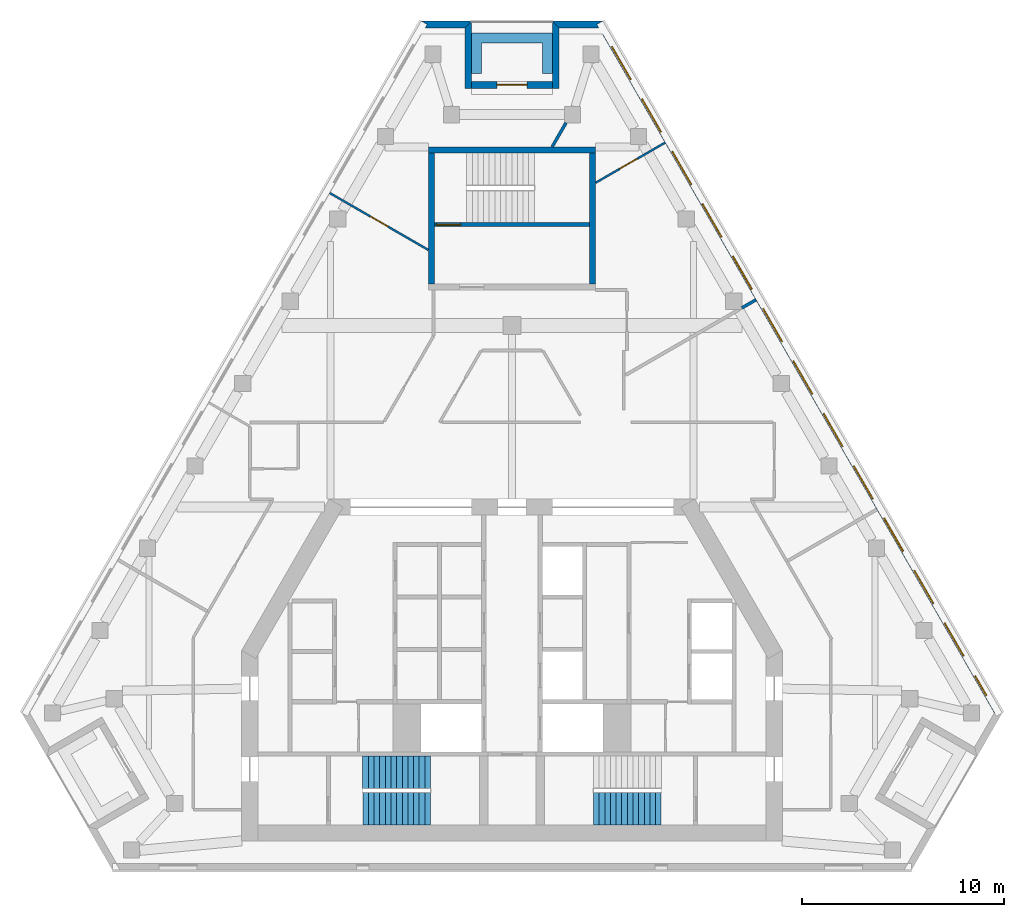
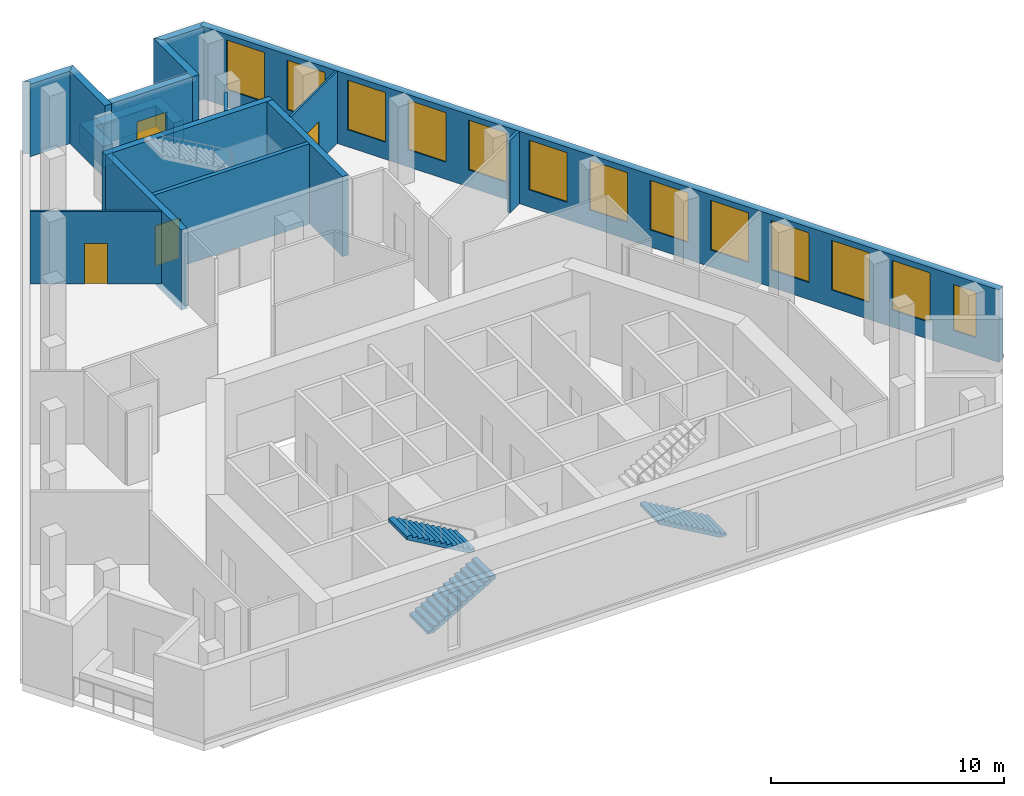
# One storey, part 6 of 8: 15 walls, 13 windows, 4 doors, 3 stair flights, 17 openings, 2 elements without a shape of their own.
"""IFC4 building model written with IfcOpenShell, lengths in metres."""

import ifcopenshell
import ifcopenshell.guid

model = None  # the IFC model being written
_history = None  # IfcOwnerHistory: only IFC2X3 demands one
_inside = {}  # id of a spatial element -> (the spatial element, [elements in it])
_under = {}  # id of a project, library or spatial element -> (it, [spatial elements below it])
_declared = {}  # id of a project -> (the project, [libraries it declares])
_typed = {}  # id of a type object -> (the type object, [elements of that type])
_made_of = {}  # id of a material, layer set ... -> (it, [elements and type objects made of it])


def new_model(schema):
    """Start an empty IFC model of exactly this schema.

    Asked for "IFC4X3", IfcOpenShell would pick the latest addendum, in which some entities
    have other attributes; the version numbers below select the first issue.
    IFC2X3 requires an IfcOwnerHistory on every rooted entity: one is made here for all.
    """
    global model, _history
    if schema == "IFC4X3":
        model = ifcopenshell.file(schema_version=(4, 3, 0, 0))
    else:
        model = ifcopenshell.file(schema=schema)
    _inside.clear()
    _under.clear()
    _declared.clear()
    _typed.clear()
    _made_of.clear()
    _history = None
    if model.schema == "IFC2X3":
        org = make("IfcOrganization", Name="unknown")
        user = make(
            "IfcPersonAndOrganization",
            ThePerson=make("IfcPerson", FamilyName="unknown"),
            TheOrganization=org,
        )
        app = make(
            "IfcApplication",
            ApplicationDeveloper=org,
            Version="unknown",
            ApplicationFullName="unknown",
            ApplicationIdentifier="unknown",
        )
        _history = make(
            "IfcOwnerHistory",
            OwningUser=user,
            OwningApplication=app,
            ChangeAction="ADDED",
            CreationDate=0,
        )
    return model


def make(cls, **values):
    """One entity of the class cls with the attributes given. An attribute that is None is left unset."""
    return model.create_entity(
        cls, **{name: value for name, value in values.items() if value is not None}
    )


def rooted(cls, **values):
    """An entity with a GlobalId (a new one), such as an element, a storey or a relation."""
    return make(cls, GlobalId=ifcopenshell.guid.new(), OwnerHistory=_history, **values)


def si_unit(unit_type, name, prefix=None):
    """IfcSIUnit, for example si_unit("LENGTHUNIT", "METRE", prefix="MILLI")."""
    return make("IfcSIUnit", UnitType=unit_type, Prefix=prefix, Name=name)


def assignment(units):
    """IfcUnitAssignment: the units of a project."""
    return None if units is None else make("IfcUnitAssignment", Units=units)


def point(xyz):
    """IfcCartesianPoint."""
    return None if xyz is None else make("IfcCartesianPoint", Coordinates=xyz)


def direction(xyz):
    """IfcDirection."""
    return None if xyz is None else make("IfcDirection", DirectionRatios=xyz)


def frame(location, z_axis=None, x_axis=None):
    """IfcAxis2Placement3D, a coordinate frame: its origin and axes. An axis left out is left unset."""
    return make(
        "IfcAxis2Placement3D",
        Location=point(location),
        Axis=direction(z_axis),
        RefDirection=direction(x_axis),
    )


def frame_2d(location, x_axis=None):
    """IfcAxis2Placement2D, a coordinate frame in the plane: its origin and x axis."""
    return make(
        "IfcAxis2Placement2D", Location=point(location), RefDirection=direction(x_axis)
    )


def origin():
    """The frame at (0, 0, 0) with its axes left unset."""
    return frame((0.0, 0.0, 0.0))


def place(relative_to, where):
    """IfcLocalPlacement: puts the frame where relative to a parent placement (None: the world)."""
    return make(
        "IfcLocalPlacement", PlacementRelTo=relative_to, RelativePlacement=where
    )


def context(
    kind, dimensions, precision=None, world=None, true_north=None, identifier=None
):
    """IfcGeometricRepresentationContext, for example the 3D "Model" context."""
    return make(
        "IfcGeometricRepresentationContext",
        ContextIdentifier=identifier,
        ContextType=kind,
        CoordinateSpaceDimension=dimensions,
        Precision=precision,
        WorldCoordinateSystem=world,
        TrueNorth=true_north,
    )


def subcontext(parent, identifier, kind, view, scale=None):
    """IfcGeometricRepresentationSubContext, for example "Body" below "Model"."""
    return make(
        "IfcGeometricRepresentationSubContext",
        ContextIdentifier=identifier,
        ContextType=kind,
        ParentContext=parent,
        TargetScale=scale,
        TargetView=view,
    )


def project(units=None, contexts=None):
    """IfcProject with its units and contexts."""
    return rooted(
        "IfcProject",
        Name="project",
        RepresentationContexts=contexts,
        UnitsInContext=assignment(units),
    )


def spatial(cls, under=None, at=None, **own):
    """A site, building, storey or space (cls), placed at a placement, below another one or the project."""
    s = rooted(cls, ObjectPlacement=at, **own)
    if under is not None:
        _under.setdefault(under.id(), (under, []))[1].append(s)
    return s


def polyline(points):
    """IfcPolyline through the points."""
    return make("IfcPolyline", Points=[point(p) for p in points])


def profile(cls, at=None, kind="AREA", **sizes):
    """A parametric profile (cls). Its sizes go by their IFC names, for example OverallWidth=200.0."""
    return make(cls, ProfileType=kind, Position=at, **sizes)


def rectangle(**sizes):
    """IfcRectangleProfileDef."""
    return profile("IfcRectangleProfileDef", **sizes)


def outline(outer, holes=None, kind="AREA"):
    """IfcArbitraryClosedProfileDef: a profile drawn as a closed curve; with holes, ...WithVoids."""
    if holes is None:
        return make("IfcArbitraryClosedProfileDef", ProfileType=kind, OuterCurve=outer)
    return make(
        "IfcArbitraryProfileDefWithVoids",
        ProfileType=kind,
        OuterCurve=outer,
        InnerCurves=holes,
    )


def extrude(swept, where, along, depth):
    """IfcExtrudedAreaSolid: the profile swept, set in the frame where, extruded along a direction by depth."""
    return make(
        "IfcExtrudedAreaSolid",
        SweptArea=swept,
        Position=where,
        ExtrudedDirection=direction(along),
        Depth=depth,
    )


def shape(context_of_items, identifier, shape_type, items):
    """IfcShapeRepresentation: the items that make up one representation, for example the "Body"."""
    return make(
        "IfcShapeRepresentation",
        ContextOfItems=context_of_items,
        RepresentationIdentifier=identifier,
        RepresentationType=shape_type,
        Items=items,
    )


def material(Name=None, Category=None):
    """IfcMaterial."""
    return make("IfcMaterial", Name=Name, Category=Category)


def layer(
    of_material, thickness, ventilated=None, Name=None, Category=None, Priority=None
):
    """IfcMaterialLayer: one layer of a wall or slab, of a material (None: an air gap)."""
    return make(
        "IfcMaterialLayer",
        Material=of_material,
        LayerThickness=thickness,
        IsVentilated=ventilated,
        Name=Name,
        Category=Category,
        Priority=Priority,
    )


def layer_set(layers, Name=None):
    """IfcMaterialLayerSet."""
    return make("IfcMaterialLayerSet", MaterialLayers=layers, LayerSetName=Name)


def made_of(thing, what):
    """Note that an element or type object is made of a material, layer set ...; save() writes the relation."""
    if what is not None:
        _made_of.setdefault(what.id(), (what, []))[1].append(thing)
    return thing


def type_object(cls, material=None, **own):
    """A type object (cls), such as IfcWallType, which elements share."""
    return made_of(rooted(cls, **own), material)


def element(
    cls,
    number,
    at=None,
    inside=None,
    cuts=None,
    type_object=None,
    material=None,
    context=None,
    identifier="Body",
    shape_type=None,
    held_by="IfcProductDefinitionShape",
    body=None,
    shapes=None,
    **own,
):
    """One element of the class cls, such as IfcWall. Its Tag is "e" and its number.

    at: its placement. inside: the storey or other place that contains it. cuts: it is an
    opening in that element (IfcRelVoidsElement). A single representation is given by context,
    identifier, shape_type and body (its items); several are given by shapes. held_by: the class
    of the entity that holds the representations. save() writes the other relations.
    """
    e = rooted(cls, Tag="e%d" % number, ObjectPlacement=at, **own)
    if body is not None:
        shapes = [shape(context, identifier, shape_type, body)]
    if shapes is not None:
        e.Representation = make(held_by, Representations=shapes)
    if inside is not None:
        _inside.setdefault(inside.id(), (inside, []))[1].append(e)
    if cuts is not None:
        rooted(
            "IfcRelVoidsElement", RelatingBuildingElement=cuts, RelatedOpeningElement=e
        )
    if type_object is not None:
        _typed.setdefault(type_object.id(), (type_object, []))[1].append(e)
    return made_of(e, material)


def fill(opening, filler):
    """IfcRelFillsElement: the door or window that sits in an opening."""
    return rooted(
        "IfcRelFillsElement",
        RelatingOpeningElement=opening,
        RelatedBuildingElement=filler,
    )


def aggregate(whole, parts):
    """IfcRelAggregates: a whole, such as a stair, and the parts it consists of."""
    return rooted("IfcRelAggregates", RelatingObject=whole, RelatedObjects=parts)


def save(model, path):
    """Write the relations noted so far, then the file.

    IfcRelAggregates (storeys below a building ...), IfcRelContainedInSpatialStructure (elements
    in a storey), IfcRelDefinesByType, IfcRelAssociatesMaterial and IfcRelDeclares: one each for
    every whole, place, type object, material and project.
    """
    for whole, parts in _under.values():
        aggregate(whole, parts)
    for where, things in _inside.values():
        rooted(
            "IfcRelContainedInSpatialStructure",
            RelatedElements=things,
            RelatingStructure=where,
        )
    for kind, things in _typed.values():
        rooted("IfcRelDefinesByType", RelatedObjects=things, RelatingType=kind)
    for what, things in _made_of.values():
        rooted("IfcRelAssociatesMaterial", RelatedObjects=things, RelatingMaterial=what)
    for by, libraries in _declared.values():
        rooted("IfcRelDeclares", RelatingContext=by, RelatedDefinitions=libraries)
    model.write(path)


model = new_model("IFC4")

# Units and contexts
model_context = context("Model", 3, precision=1e-05, world=origin(), true_north=direction((0.0, 1.0)))
body_context = subcontext(model_context, "Body", "Model", "MODEL_VIEW")
ifc_project = project(units=[si_unit("LENGTHUNIT", "METRE"), si_unit("AREAUNIT", "SQUARE_METRE"), si_unit("VOLUMEUNIT", "CUBIC_METRE"), si_unit("PLANEANGLEUNIT", "RADIAN"), si_unit("MASSUNIT", "GRAM", prefix="KILO")], contexts=[model_context])

# Site, building, storey
site_placement = place(None, origin())
site = spatial("IfcSite", under=ifc_project, at=site_placement, CompositionType="ELEMENT")
building_placement = place(site_placement, origin())
building = spatial("IfcBuilding", under=site, at=building_placement, Name="Fogline Exchange Tower", CompositionType="ELEMENT")
storey_placement = place(building_placement, frame((0.0, 0.0, 330.89990234375)))
storey = spatial("IfcBuildingStorey", under=building, at=storey_placement, Name="L75", CompositionType="ELEMENT", Elevation=330.89990234375)

# Wall, opening, door
ifc_material_1 = material(Name="Concrete C40", Category="concrete")
ifc_layer_1 = layer(ifc_material_1, 0.199951171875)
ifc_layer_set_1 = layer_set([ifc_layer_1], Name="CW20R")
wall_type_1 = type_object("IfcWallType", Name="CW20R", PredefinedType="SOLIDWALL", material=ifc_layer_set_1)
wall_1_placement = place(storey_placement, frame((-3.85009765625, 32.007080078125, -0.39990234375), z_axis=(0.0, 0.0, 1.0), x_axis=(1.0, 0.0, 0.0)))
wall_1 = element("IfcWall", 1, at=wall_1_placement, inside=storey, type_object=wall_type_1, Name="Stair enclosure wall ST3", PredefinedType="SOLIDWALL", context=body_context, shape_type="SweptSolid", body=[
    extrude(rectangle(XDim=7.7001953125, YDim=0.199951171875, at=frame_2d((3.85009765625, 0.0))), origin(), (0.0, 0.0, 1.0), 4.199951171875),
])
opening_1_placement = place(wall_1_placement, frame((0.10009765625, 0.0, 0.39990234375)))
opening_1 = element("IfcOpeningElement", 2, at=opening_1_placement, cuts=wall_1, Name="Opening T23-C027", PredefinedType="OPENING", context=body_context, shape_type="SweptSolid", body=[
    extrude(rectangle(XDim=1.199951171875, YDim=2.10009765625, at=frame_2d((0.60009765625, 1.050048828125))), frame((0.0, 0.10986328125, 0.0), z_axis=(0.0, -1.0, 0.0), x_axis=(1.0, 0.0, 0.0)), (0.0, 0.0, 1.0), 0.219970703125),
])
ifc_material_2 = material(Name="Steel and timber fire door", Category="steel")
door_type_1 = type_object("IfcDoorType", Name="D-ST1", OperationType="SINGLE_SWING_LEFT", PredefinedType="DOOR", material=ifc_material_2)
door_1_placement = place(opening_1_placement, origin())
door_1 = element("IfcDoor", 3, at=door_1_placement, inside=storey, type_object=door_type_1, Name="Stair door ST3", OperationType="SINGLE_SWING_LEFT", OverallHeight=2.10009765625, OverallWidth=1.199951171875, PredefinedType="DOOR", context=body_context, shape_type="SweptSolid", body=[
    extrude(rectangle(XDim=1.199951171875, YDim=2.10009765625, at=frame_2d((0.60009765625, 1.050048828125))), frame((0.0, 0.02490234375, 0.0), z_axis=(0.0, -1.0, 0.0), x_axis=(1.0, 0.0, 0.0)), (0.0, 0.0, 1.0), 0.050048828125),
])
fill(opening_1, door_1)

# Walls
ifc_layer_2 = layer(ifc_material_1, 0.300048828125)
ifc_layer_set_2 = layer_set([ifc_layer_2], Name="CW30")
wall_type_2 = type_object("IfcWallType", Name="CW30", PredefinedType="SOLIDWALL", material=ifc_layer_set_2)
wall_2_placement = place(storey_placement, frame((-4.14990234375, 35.70703125, -0.39990234375), z_axis=(0.0, 0.0, 1.0), x_axis=(1.0, 0.0, 0.0)))
element("IfcWall", 4, at=wall_2_placement, inside=storey, type_object=wall_type_2, Name="Stair enclosure wall ST3", PredefinedType="SOLIDWALL", context=body_context, shape_type="SweptSolid", body=[
    extrude(rectangle(XDim=8.2998046875, YDim=0.300048828125, at=frame_2d((4.14990234375, 0.0))), origin(), (0.0, 0.0, 1.0), 4.199951171875),
])
for number, where, z_axis, x_axis, name in (
    (5, (-4.0, 29.056884765625, -0.39990234375), (0.0, 0.0, 1.0), (0.0, 1.0, 0.0), "Stair enclosure wall ST3"),
    (6, (4.0, 29.056884765625, -0.39990234375), (0.0, 0.0, 1.0), (0.0, 1.0, 0.0), "Stair enclosure wall ST3"),
):
    element("IfcWall", number, at=place(storey_placement, frame(where, z_axis=z_axis, x_axis=x_axis)), inside=storey, type_object=wall_type_2, Name=name, PredefinedType="SOLIDWALL", context=body_context, shape_type="SweptSolid", body=[
        extrude(rectangle(XDim=6.5, YDim=0.300048828125, at=frame_2d((3.25, 0.0))), origin(), (0.0, 0.0, 1.0), 4.199951171875),
    ])

# Wall, openings, windows
ifc_material_3 = material(Name="Brick masonry", Category="masonry")
ifc_layer_3 = layer(ifc_material_3, 0.340087890625)
ifc_layer_set_3 = layer_set([ifc_layer_3], Name="FW1")
wall_type_3 = type_object("IfcWallType", Name="FW1", PredefinedType="SOLIDWALL", material=ifc_layer_set_3)
wall_3_placement = place(storey_placement, frame((24.16015625, 7.709228515625, 0.0), z_axis=(0.0, 0.0, 1.0), x_axis=(-0.500000037544, 0.866025382108, 0.0)))
wall_3 = element("IfcWall", 7, at=wall_3_placement, inside=storey, type_object=wall_type_3, Name="Brick wall L75 E", PredefinedType="SOLIDWALL", context=body_context, shape_type="SweptSolid", body=[
    extrude(rectangle(XDim=39.61474609375, YDim=0.340087890625, at=frame_2d((19.807373046875, 0.0))), origin(), (0.0, 0.0, 1.0), 3.800048828125),
])
opening_2_placement = place(wall_3_placement, frame((3.40380859375, 0.0, 0.89990234375)))
opening_2 = element("IfcOpeningElement", 8, at=opening_2_placement, cuts=wall_3, Name="Opening W3", PredefinedType="OPENING", context=body_context, shape_type="SweptSolid", body=[
    extrude(rectangle(XDim=1.885009765625, YDim=2.60009765625, at=frame_2d((0.9423828125, 1.300048828125))), frame((0.0, 0.18017578125, 0.0), z_axis=(0.0, -1.0, 0.0), x_axis=(1.0, 0.0, 0.0)), (0.0, 0.0, 1.0), 0.360107421875),
])
opening_3_placement = place(wall_3_placement, frame((6.40380859375, 0.0, 0.89990234375)))
opening_3 = element("IfcOpeningElement", 9, at=opening_3_placement, cuts=wall_3, Name="Opening W3", PredefinedType="OPENING", context=body_context, shape_type="SweptSolid", body=[
    extrude(rectangle(XDim=1.885009765625, YDim=2.60009765625, at=frame_2d((0.9423828125, 1.300048828125))), frame((0.0, 0.18017578125, 0.0), z_axis=(0.0, -1.0, 0.0), x_axis=(1.0, 0.0, 0.0)), (0.0, 0.0, 1.0), 0.360107421875),
])
opening_4_placement = place(wall_3_placement, frame((9.40380859375, 0.0, 0.89990234375)))
opening_4 = element("IfcOpeningElement", 10, at=opening_4_placement, cuts=wall_3, Name="Opening W3", PredefinedType="OPENING", context=body_context, shape_type="SweptSolid", body=[
    extrude(rectangle(XDim=1.885009765625, YDim=2.60009765625, at=frame_2d((0.9423828125, 1.300048828125))), frame((0.0, 0.18017578125, 0.0), z_axis=(0.0, -1.0, 0.0), x_axis=(1.0, 0.0, 0.0)), (0.0, 0.0, 1.0), 0.360107421875),
])
opening_5_placement = place(wall_3_placement, frame((12.40380859375, 0.0, 0.89990234375)))
opening_5 = element("IfcOpeningElement", 11, at=opening_5_placement, cuts=wall_3, Name="Opening W3", PredefinedType="OPENING", context=body_context, shape_type="SweptSolid", body=[
    extrude(rectangle(XDim=1.885009765625, YDim=2.60009765625, at=frame_2d((0.9423828125, 1.300048828125))), frame((0.0, 0.18017578125, 0.0), z_axis=(0.0, -1.0, 0.0), x_axis=(1.0, 0.0, 0.0)), (0.0, 0.0, 1.0), 0.360107421875),
])
opening_6_placement = place(wall_3_placement, frame((15.40380859375, 0.0, 0.89990234375)))
opening_6 = element("IfcOpeningElement", 12, at=opening_6_placement, cuts=wall_3, Name="Opening W3", PredefinedType="OPENING", context=body_context, shape_type="SweptSolid", body=[
    extrude(rectangle(XDim=1.885009765625, YDim=2.60009765625, at=frame_2d((0.9423828125, 1.300048828125))), frame((0.0, 0.18017578125, 0.0), z_axis=(0.0, -1.0, 0.0), x_axis=(1.0, 0.0, 0.0)), (0.0, 0.0, 1.0), 0.360107421875),
])
opening_7_placement = place(wall_3_placement, frame((18.40380859375, 0.0, 0.89990234375)))
opening_7 = element("IfcOpeningElement", 13, at=opening_7_placement, cuts=wall_3, Name="Opening W3", PredefinedType="OPENING", context=body_context, shape_type="SweptSolid", body=[
    extrude(rectangle(XDim=1.885009765625, YDim=2.60009765625, at=frame_2d((0.9423828125, 1.300048828125))), frame((0.0, 0.18017578125, 0.0), z_axis=(0.0, -1.0, 0.0), x_axis=(1.0, 0.0, 0.0)), (0.0, 0.0, 1.0), 0.360107421875),
])
opening_8_placement = place(wall_3_placement, frame((21.40380859375, 0.0, 0.89990234375)))
opening_8 = element("IfcOpeningElement", 14, at=opening_8_placement, cuts=wall_3, Name="Opening W3", PredefinedType="OPENING", context=body_context, shape_type="SweptSolid", body=[
    extrude(rectangle(XDim=1.885009765625, YDim=2.60009765625, at=frame_2d((0.9423828125, 1.300048828125))), frame((0.0, 0.18017578125, 0.0), z_axis=(0.0, -1.0, 0.0), x_axis=(1.0, 0.0, 0.0)), (0.0, 0.0, 1.0), 0.360107421875),
])
opening_9_placement = place(wall_3_placement, frame((24.40380859375, 0.0, 0.89990234375)))
opening_9 = element("IfcOpeningElement", 15, at=opening_9_placement, cuts=wall_3, Name="Opening W3", PredefinedType="OPENING", context=body_context, shape_type="SweptSolid", body=[
    extrude(rectangle(XDim=1.885009765625, YDim=2.60009765625, at=frame_2d((0.9423828125, 1.300048828125))), frame((0.0, 0.18017578125, 0.0), z_axis=(0.0, -1.0, 0.0), x_axis=(1.0, 0.0, 0.0)), (0.0, 0.0, 1.0), 0.360107421875),
])
opening_10_placement = place(wall_3_placement, frame((27.40380859375, 0.0, 0.89990234375)))
opening_10 = element("IfcOpeningElement", 16, at=opening_10_placement, cuts=wall_3, Name="Opening W3", PredefinedType="OPENING", context=body_context, shape_type="SweptSolid", body=[
    extrude(rectangle(XDim=1.885009765625, YDim=2.60009765625, at=frame_2d((0.9423828125, 1.300048828125))), frame((0.0, 0.18017578125, 0.0), z_axis=(0.0, -1.0, 0.0), x_axis=(1.0, 0.0, 0.0)), (0.0, 0.0, 1.0), 0.360107421875),
])
opening_11_placement = place(wall_3_placement, frame((30.40380859375, 0.0, 0.89990234375)))
opening_11 = element("IfcOpeningElement", 17, at=opening_11_placement, cuts=wall_3, Name="Opening W3", PredefinedType="OPENING", context=body_context, shape_type="SweptSolid", body=[
    extrude(rectangle(XDim=1.885009765625, YDim=2.60009765625, at=frame_2d((0.9423828125, 1.300048828125))), frame((0.0, 0.18017578125, 0.0), z_axis=(0.0, -1.0, 0.0), x_axis=(1.0, 0.0, 0.0)), (0.0, 0.0, 1.0), 0.360107421875),
])
opening_12_placement = place(wall_3_placement, frame((33.40380859375, 0.0, 0.89990234375)))
opening_12 = element("IfcOpeningElement", 18, at=opening_12_placement, cuts=wall_3, Name="Opening W3", PredefinedType="OPENING", context=body_context, shape_type="SweptSolid", body=[
    extrude(rectangle(XDim=1.885009765625, YDim=2.60009765625, at=frame_2d((0.9423828125, 1.300048828125))), frame((0.0, 0.18017578125, 0.0), z_axis=(0.0, -1.0, 0.0), x_axis=(1.0, 0.0, 0.0)), (0.0, 0.0, 1.0), 0.360107421875),
])
opening_13_placement = place(wall_3_placement, frame((36.40380859375, 0.0, 0.89990234375)))
opening_13 = element("IfcOpeningElement", 19, at=opening_13_placement, cuts=wall_3, Name="Opening W3", PredefinedType="OPENING", context=body_context, shape_type="SweptSolid", body=[
    extrude(rectangle(XDim=1.885009765625, YDim=2.60009765625, at=frame_2d((0.9423828125, 1.300048828125))), frame((0.0, 0.18017578125, 0.0), z_axis=(0.0, -1.0, 0.0), x_axis=(1.0, 0.0, 0.0)), (0.0, 0.0, 1.0), 0.360107421875),
])
opening_14_placement = place(wall_3_placement, frame((1.144287109375, 0.0, 0.89990234375)))
opening_14 = element("IfcOpeningElement", 20, at=opening_14_placement, cuts=wall_3, Name="Opening W4", PredefinedType="OPENING", context=body_context, shape_type="SweptSolid", body=[
    extrude(rectangle(XDim=1.114990234375, YDim=2.39990234375, at=frame_2d((0.5576171875, 1.199951171875))), frame((0.0, 0.18017578125, 0.0), z_axis=(0.0, -1.0, 0.0), x_axis=(1.0, 0.0, 0.0)), (0.0, 0.0, 1.0), 0.360107421875),
])
ifc_material_4 = material(Name="Aluminium and glass", Category="aluminium")
window_type_1 = type_object("IfcWindowType", Name="W3", PartitioningType="SINGLE_PANEL", PredefinedType="WINDOW", material=ifc_material_4)
window_1_placement = place(opening_2_placement, origin())
window_1 = element("IfcWindow", 21, at=window_1_placement, inside=storey, type_object=window_type_1, Name="W3 W3", OverallHeight=2.60009765625, OverallWidth=1.885009765625, PartitioningType="SINGLE_PANEL", PredefinedType="WINDOW", context=body_context, shape_type="SweptSolid", body=[
    extrude(rectangle(XDim=1.885009765625, YDim=2.60009765625, at=frame_2d((0.9423828125, 1.300048828125))), frame((0.0, 0.110107421875, 0.0), z_axis=(0.0, -1.0, 0.0), x_axis=(1.0, 0.0, 0.0)), (0.0, 0.0, 1.0), 0.06005859375),
])
fill(opening_2, window_1)
window_2_placement = place(opening_3_placement, origin())
window_2 = element("IfcWindow", 22, at=window_2_placement, inside=storey, type_object=window_type_1, Name="W3 W3", OverallHeight=2.60009765625, OverallWidth=1.885009765625, PartitioningType="SINGLE_PANEL", PredefinedType="WINDOW", context=body_context, shape_type="SweptSolid", body=[
    extrude(rectangle(XDim=1.885009765625, YDim=2.60009765625, at=frame_2d((0.9423828125, 1.300048828125))), frame((0.0, 0.110107421875, 0.0), z_axis=(0.0, -1.0, 0.0), x_axis=(1.0, 0.0, 0.0)), (0.0, 0.0, 1.0), 0.06005859375),
])
fill(opening_3, window_2)
window_3_placement = place(opening_4_placement, origin())
window_3 = element("IfcWindow", 23, at=window_3_placement, inside=storey, type_object=window_type_1, Name="W3 W3", OverallHeight=2.60009765625, OverallWidth=1.885009765625, PartitioningType="SINGLE_PANEL", PredefinedType="WINDOW", context=body_context, shape_type="SweptSolid", body=[
    extrude(rectangle(XDim=1.885009765625, YDim=2.60009765625, at=frame_2d((0.9423828125, 1.300048828125))), frame((0.0, 0.110107421875, 0.0), z_axis=(0.0, -1.0, 0.0), x_axis=(1.0, 0.0, 0.0)), (0.0, 0.0, 1.0), 0.06005859375),
])
fill(opening_4, window_3)
window_4_placement = place(opening_5_placement, origin())
window_4 = element("IfcWindow", 24, at=window_4_placement, inside=storey, type_object=window_type_1, Name="W3 W3", OverallHeight=2.60009765625, OverallWidth=1.885009765625, PartitioningType="SINGLE_PANEL", PredefinedType="WINDOW", context=body_context, shape_type="SweptSolid", body=[
    extrude(rectangle(XDim=1.885009765625, YDim=2.60009765625, at=frame_2d((0.9423828125, 1.300048828125))), frame((0.0, 0.110107421875, 0.0), z_axis=(0.0, -1.0, 0.0), x_axis=(1.0, 0.0, 0.0)), (0.0, 0.0, 1.0), 0.06005859375),
])
fill(opening_5, window_4)
window_5_placement = place(opening_6_placement, origin())
window_5 = element("IfcWindow", 25, at=window_5_placement, inside=storey, type_object=window_type_1, Name="W3 W3", OverallHeight=2.60009765625, OverallWidth=1.885009765625, PartitioningType="SINGLE_PANEL", PredefinedType="WINDOW", context=body_context, shape_type="SweptSolid", body=[
    extrude(rectangle(XDim=1.885009765625, YDim=2.60009765625, at=frame_2d((0.9423828125, 1.300048828125))), frame((0.0, 0.110107421875, 0.0), z_axis=(0.0, -1.0, 0.0), x_axis=(1.0, 0.0, 0.0)), (0.0, 0.0, 1.0), 0.06005859375),
])
fill(opening_6, window_5)
window_6_placement = place(opening_7_placement, origin())
window_6 = element("IfcWindow", 26, at=window_6_placement, inside=storey, type_object=window_type_1, Name="W3 W3", OverallHeight=2.60009765625, OverallWidth=1.885009765625, PartitioningType="SINGLE_PANEL", PredefinedType="WINDOW", context=body_context, shape_type="SweptSolid", body=[
    extrude(rectangle(XDim=1.885009765625, YDim=2.60009765625, at=frame_2d((0.9423828125, 1.300048828125))), frame((0.0, 0.110107421875, 0.0), z_axis=(0.0, -1.0, 0.0), x_axis=(1.0, 0.0, 0.0)), (0.0, 0.0, 1.0), 0.06005859375),
])
fill(opening_7, window_6)
window_7_placement = place(opening_8_placement, origin())
window_7 = element("IfcWindow", 27, at=window_7_placement, inside=storey, type_object=window_type_1, Name="W3 W3", OverallHeight=2.60009765625, OverallWidth=1.885009765625, PartitioningType="SINGLE_PANEL", PredefinedType="WINDOW", context=body_context, shape_type="SweptSolid", body=[
    extrude(rectangle(XDim=1.885009765625, YDim=2.60009765625, at=frame_2d((0.9423828125, 1.300048828125))), frame((0.0, 0.110107421875, 0.0), z_axis=(0.0, -1.0, 0.0), x_axis=(1.0, 0.0, 0.0)), (0.0, 0.0, 1.0), 0.06005859375),
])
fill(opening_8, window_7)
window_8_placement = place(opening_9_placement, origin())
window_8 = element("IfcWindow", 28, at=window_8_placement, inside=storey, type_object=window_type_1, Name="W3 W3", OverallHeight=2.60009765625, OverallWidth=1.885009765625, PartitioningType="SINGLE_PANEL", PredefinedType="WINDOW", context=body_context, shape_type="SweptSolid", body=[
    extrude(rectangle(XDim=1.885009765625, YDim=2.60009765625, at=frame_2d((0.9423828125, 1.300048828125))), frame((0.0, 0.110107421875, 0.0), z_axis=(0.0, -1.0, 0.0), x_axis=(1.0, 0.0, 0.0)), (0.0, 0.0, 1.0), 0.06005859375),
])
fill(opening_9, window_8)
window_9_placement = place(opening_10_placement, origin())
window_9 = element("IfcWindow", 29, at=window_9_placement, inside=storey, type_object=window_type_1, Name="W3 W3", OverallHeight=2.60009765625, OverallWidth=1.885009765625, PartitioningType="SINGLE_PANEL", PredefinedType="WINDOW", context=body_context, shape_type="SweptSolid", body=[
    extrude(rectangle(XDim=1.885009765625, YDim=2.60009765625, at=frame_2d((0.9423828125, 1.300048828125))), frame((0.0, 0.110107421875, 0.0), z_axis=(0.0, -1.0, 0.0), x_axis=(1.0, 0.0, 0.0)), (0.0, 0.0, 1.0), 0.06005859375),
])
fill(opening_10, window_9)
window_10_placement = place(opening_11_placement, origin())
window_10 = element("IfcWindow", 30, at=window_10_placement, inside=storey, type_object=window_type_1, Name="W3 W3", OverallHeight=2.60009765625, OverallWidth=1.885009765625, PartitioningType="SINGLE_PANEL", PredefinedType="WINDOW", context=body_context, shape_type="SweptSolid", body=[
    extrude(rectangle(XDim=1.885009765625, YDim=2.60009765625, at=frame_2d((0.9423828125, 1.300048828125))), frame((0.0, 0.110107421875, 0.0), z_axis=(0.0, -1.0, 0.0), x_axis=(1.0, 0.0, 0.0)), (0.0, 0.0, 1.0), 0.06005859375),
])
fill(opening_11, window_10)
window_11_placement = place(opening_12_placement, origin())
window_11 = element("IfcWindow", 31, at=window_11_placement, inside=storey, type_object=window_type_1, Name="W3 W3", OverallHeight=2.60009765625, OverallWidth=1.885009765625, PartitioningType="SINGLE_PANEL", PredefinedType="WINDOW", context=body_context, shape_type="SweptSolid", body=[
    extrude(rectangle(XDim=1.885009765625, YDim=2.60009765625, at=frame_2d((0.9423828125, 1.300048828125))), frame((0.0, 0.110107421875, 0.0), z_axis=(0.0, -1.0, 0.0), x_axis=(1.0, 0.0, 0.0)), (0.0, 0.0, 1.0), 0.06005859375),
])
fill(opening_12, window_11)
window_12_placement = place(opening_13_placement, origin())
window_12 = element("IfcWindow", 32, at=window_12_placement, inside=storey, type_object=window_type_1, Name="W3 W3", OverallHeight=2.60009765625, OverallWidth=1.885009765625, PartitioningType="SINGLE_PANEL", PredefinedType="WINDOW", context=body_context, shape_type="SweptSolid", body=[
    extrude(rectangle(XDim=1.885009765625, YDim=2.60009765625, at=frame_2d((0.9423828125, 1.300048828125))), frame((0.0, 0.110107421875, 0.0), z_axis=(0.0, -1.0, 0.0), x_axis=(1.0, 0.0, 0.0)), (0.0, 0.0, 1.0), 0.06005859375),
])
fill(opening_13, window_12)
window_type_2 = type_object("IfcWindowType", Name="W4", PartitioningType="SINGLE_PANEL", PredefinedType="WINDOW", material=ifc_material_4)
window_13_placement = place(opening_14_placement, origin())
window_13 = element("IfcWindow", 33, at=window_13_placement, inside=storey, type_object=window_type_2, Name="W4 W4", OverallHeight=2.39990234375, OverallWidth=1.114990234375, PartitioningType="SINGLE_PANEL", PredefinedType="WINDOW", context=body_context, shape_type="SweptSolid", body=[
    extrude(rectangle(XDim=1.114990234375, YDim=2.39990234375, at=frame_2d((0.5576171875, 1.199951171875))), frame((0.0, 0.110107421875, 0.0), z_axis=(0.0, -1.0, 0.0), x_axis=(1.0, 0.0, 0.0)), (0.0, 0.0, 1.0), 0.06005859375),
])
fill(opening_14, window_13)

# Walls
wall_4_placement = place(storey_placement, origin())
element("IfcWall", 34, at=wall_4_placement, inside=storey, type_object=wall_type_3, Name="Brick wall L75 N-c1", PredefinedType="SOLIDWALL", context=body_context, shape_type="SweptSolid", body=[
    extrude(outline(polyline([(1.9990234375, 42.102294921875), (4.5009765625, 42.102294921875), (4.501220703125, 42.1015625), (4.206298828125, 41.931396484375), (4.3046875, 41.760986328125), (2.33984375, 41.760986328125), (1.998779296875, 42.10205078125), (1.9990234375, 42.102294921875)])), origin(), (0.0, 0.0, 1.0), 3.800048828125),
])
wall_5_placement = place(storey_placement, origin())
element("IfcWall", 35, at=wall_5_placement, inside=storey, type_object=wall_type_3, Name="Brick wall L75 N-s1", PredefinedType="SOLIDWALL", context=body_context, shape_type="SweptSolid", body=[
    extrude(outline(polyline([(2.340576171875, 38.760986328125), (1.99951171875, 38.760986328125), (1.99951171875, 42.102783203125), (1.999755859375, 42.102783203125), (2.340576171875, 41.761962890625), (2.340576171875, 38.760986328125)])), origin(), (0.0, 0.0, 1.0), 3.800048828125),
])

# Wall, opening, door
wall_6_placement = place(storey_placement, frame((2.0, 38.931640625, 0.0), z_axis=(0.0, 0.0, 1.0), x_axis=(-1.0, 0.0, 0.0)))
wall_6 = element("IfcWall", 36, at=wall_6_placement, inside=storey, type_object=wall_type_3, Name="Brick wall L75 N-bk", PredefinedType="SOLIDWALL", context=body_context, shape_type="SweptSolid", body=[
    extrude(rectangle(XDim=4.0, YDim=0.340087890625, at=frame_2d((2.0, 0.0))), origin(), (0.0, 0.0, 1.0), 3.800048828125),
])
opening_15_placement = place(wall_6_placement, frame((1.25, 0.0, 0.0)))
opening_15 = element("IfcOpeningElement", 37, at=opening_15_placement, cuts=wall_6, Name="Opening T23-E141", PredefinedType="OPENING", context=body_context, shape_type="SweptSolid", body=[
    extrude(rectangle(XDim=1.5, YDim=2.39990234375, at=frame_2d((0.75, 1.199951171875))), frame((0.0, 0.18017578125, 0.0), z_axis=(0.0, -1.0, 0.0), x_axis=(1.0, 0.0, 0.0)), (0.0, 0.0, 1.0), 0.360107421875),
])
door_type_2 = type_object("IfcDoorType", Name="ED4", OperationType="SINGLE_SWING_LEFT", PredefinedType="DOOR", material=ifc_material_4)
door_2_placement = place(opening_15_placement, frame((1.5, 0.0, 0.0), z_axis=(0.0, 0.0, 1.0), x_axis=(-1.0, 0.0, 0.0)))
door_2 = element("IfcDoor", 38, at=door_2_placement, inside=storey, type_object=door_type_2, Name="Balcony door L75 N", OperationType="DOUBLE_DOOR_SINGLE_SWING", OverallHeight=2.39990234375, OverallWidth=1.5, PredefinedType="DOOR", context=body_context, shape_type="SweptSolid", body=[
    extrude(rectangle(XDim=1.5, YDim=2.39990234375, at=frame_2d((0.75, 1.199951171875))), frame((0.0, 0.02490234375, 0.0), z_axis=(0.0, -1.0, 0.0), x_axis=(1.0, 0.0, 0.0)), (0.0, 0.0, 1.0), 0.050048828125),
])
fill(opening_15, door_2)

# Walls
wall_7_placement = place(storey_placement, origin())
element("IfcWall", 39, at=wall_7_placement, inside=storey, type_object=wall_type_3, Name="Brick wall L75 N-s2", PredefinedType="SOLIDWALL", context=body_context, shape_type="SweptSolid", body=[
    extrude(outline(polyline([(-1.99951171875, 42.102783203125), (-1.99951171875, 38.760986328125), (-2.340576171875, 38.760986328125), (-2.340576171875, 41.761962890625), (-1.999755859375, 42.102783203125), (-1.99951171875, 42.102783203125)])), origin(), (0.0, 0.0, 1.0), 3.800048828125),
])
wall_8_placement = place(storey_placement, origin())
element("IfcWall", 40, at=wall_8_placement, inside=storey, type_object=wall_type_3, Name="Brick wall L75 N-c2", PredefinedType="SOLIDWALL", context=body_context, shape_type="SweptSolid", body=[
    extrude(outline(polyline([(-4.3046875, 41.760986328125), (-4.206298828125, 41.931396484375), (-4.501220703125, 42.1015625), (-4.5009765625, 42.102294921875), (-1.9990234375, 42.102294921875), (-1.998779296875, 42.10205078125), (-2.33984375, 41.760986328125), (-4.3046875, 41.760986328125)])), origin(), (0.0, 0.0, 1.0), 3.800048828125),
])
ifc_material_5 = material(Name="Concrete C30", Category="concrete")
ifc_layer_4 = layer(ifc_material_5, 0.199951171875)
ifc_layer_set_4 = layer_set([ifc_layer_4], Name="PL1")
wall_type_4 = type_object("IfcWallType", Name="PL1", PredefinedType="USERDEFINED", material=ifc_layer_set_4)
wall_9_placement = place(storey_placement, origin())
element("IfcWall", 41, at=wall_9_placement, inside=storey, type_object=wall_type_4, Name="PLANTER balcony L75 N", ObjectType="PLANTER", PredefinedType="USERDEFINED", context=body_context, shape_type="SweptSolid", body=[
    extrude(outline(polyline([(-1.5, 41.501708984375), (-2.0, 41.501708984375), (-2.0, 41.001708984375), (-2.0, 39.501708984375), (-1.5, 39.501708984375), (-1.5, 41.001708984375), (1.5, 41.001708984375), (1.5, 39.501708984375), (2.0, 39.501708984375), (2.0, 41.001708984375), (2.0, 41.501708984375), (1.5, 41.501708984375), (-1.5, 41.501708984375)])), origin(), (0.0, 0.0, 1.0), 1.10009765625),
])

# Wall, opening, door
ifc_material_6 = material(Name="Plasterboard partition, 2 layers each side on steel studs", Category="steel")
ifc_layer_5 = layer(ifc_material_6, 0.10009765625)
ifc_layer_set_5 = layer_set([ifc_layer_5], Name="PW1")
wall_type_5 = type_object("IfcWallType", Name="PW1", PredefinedType="PARTITIONING", material=ifc_layer_set_5)
wall_10_placement = place(storey_placement, frame((4.14990234375, 34.083984375, 0.0), z_axis=(0.0, 0.0, 1.0), x_axis=(0.86604843292, 0.499960110246, 0.0)))
wall_10 = element("IfcWall", 42, at=wall_10_placement, inside=storey, type_object=wall_type_5, Name="wall-L75-W030", PredefinedType="PARTITIONING", context=body_context, shape_type="SweptSolid", body=[
    extrude(rectangle(XDim=3.971923828125, YDim=0.10009765625, at=frame_2d((1.98583984375, 0.0))), origin(), (0.0, 0.0, 1.0), 3.800048828125),
])
opening_16_placement = place(wall_10_placement, frame((1.37353515625, 0.0, 0.0)))
opening_16 = element("IfcOpeningElement", 43, at=opening_16_placement, cuts=wall_10, Name="Opening T23-D009", PredefinedType="OPENING", context=body_context, shape_type="SweptSolid", body=[
    extrude(rectangle(XDim=1.0, YDim=2.10009765625, at=frame_2d((0.5, 1.050048828125))), frame((0.0, 0.06005859375, 0.0), z_axis=(0.0, -1.0, 0.0), x_axis=(1.0, 0.0, 0.0)), (0.0, 0.0, 1.0), 0.1201171875),
])
ifc_material_7 = material(Name="Timber door leaf with steel frame", Category="steel")
door_type_3 = type_object("IfcDoorType", Name="D1", OperationType="SINGLE_SWING_LEFT", PredefinedType="DOOR", material=ifc_material_7)
door_3_placement = place(opening_16_placement, origin())
door_3 = element("IfcDoor", 44, at=door_3_placement, inside=storey, type_object=door_type_3, Name="door-L75-D009", OperationType="SINGLE_SWING_LEFT", OverallHeight=2.10009765625, OverallWidth=1.0, PredefinedType="DOOR", context=body_context, shape_type="SweptSolid", body=[
    extrude(rectangle(XDim=1.0, YDim=2.10009765625, at=frame_2d((0.5, 1.050048828125))), frame((0.0, 0.02490234375, 0.0), z_axis=(0.0, -1.0, 0.0), x_axis=(1.0, 0.0, 0.0)), (0.0, 0.0, 1.0), 0.050048828125),
])
fill(opening_16, door_3)

wall_11_placement = place(storey_placement, frame((-4.14990234375, 30.752685546875, 0.0), z_axis=(0.0, 0.0, 1.0), x_axis=(-0.866052180338, 0.499953618781, 0.0)))
wall_11 = element("IfcWall", 45, at=wall_11_placement, inside=storey, type_object=wall_type_5, Name="wall-L75-W032", PredefinedType="PARTITIONING", context=body_context, shape_type="SweptSolid", body=[
    extrude(rectangle(XDim=5.6376953125, YDim=0.10009765625, at=frame_2d((2.81884765625, 0.0))), origin(), (0.0, 0.0, 1.0), 3.800048828125),
])
opening_17_placement = place(wall_11_placement, frame((2.31884765625, 0.0, 0.0)))
opening_17 = element("IfcOpeningElement", 46, at=opening_17_placement, cuts=wall_11, Name="Opening T23-D010", PredefinedType="OPENING", context=body_context, shape_type="SweptSolid", body=[
    extrude(rectangle(XDim=1.0, YDim=2.10009765625, at=frame_2d((0.5, 1.050048828125))), frame((0.0, 0.06005859375, 0.0), z_axis=(0.0, -1.0, 0.0), x_axis=(1.0, 0.0, 0.0)), (0.0, 0.0, 1.0), 0.1201171875),
])
door_4_placement = place(opening_17_placement, frame((1.0, 0.0, 0.0), z_axis=(0.0, 0.0, 1.0), x_axis=(-1.0, 0.0, 0.0)))
door_4 = element("IfcDoor", 47, at=door_4_placement, inside=storey, type_object=door_type_3, Name="door-L75-D010", OperationType="SINGLE_SWING_RIGHT", OverallHeight=2.10009765625, OverallWidth=1.0, PredefinedType="DOOR", context=body_context, shape_type="SweptSolid", body=[
    extrude(rectangle(XDim=1.0, YDim=2.10009765625, at=frame_2d((0.5, 1.050048828125))), frame((0.0, 0.02490234375, 0.0), z_axis=(0.0, -1.0, 0.0), x_axis=(1.0, 0.0, 0.0)), (0.0, 0.0, 1.0), 0.050048828125),
])
fill(opening_17, door_4)

# Walls
ifc_material_8 = material(Name="Plasterboard demising partition with mineral wool and acoustic board")
ifc_layer_6 = layer(ifc_material_8, 0.14990234375)
ifc_layer_set_6 = layer_set([ifc_layer_6], Name="PW3")
wall_type_6 = type_object("IfcWallType", Name="PW3", PredefinedType="PARTITIONING", material=ifc_layer_set_6)
wall_12_placement = place(storey_placement, frame((11.394287109375, 27.8740234375, 0.0), z_axis=(0.0, 0.0, 1.0), x_axis=(0.866008413041, 0.500029427677, 0.0)))
element("IfcWall", 48, at=wall_12_placement, inside=storey, type_object=wall_type_6, Name="wall-L75-W028", PredefinedType="PARTITIONING", context=body_context, shape_type="SweptSolid", body=[
    extrude(rectangle(XDim=0.80322265625, YDim=0.14990234375, at=frame_2d((0.401611328125, 0.0))), origin(), (0.0, 0.0, 1.0), 3.800048828125),
])
wall_13_placement = place(storey_placement, frame((1.98681640625, 35.85693359375, 0.0), z_axis=(0.0, 0.0, 1.0), x_axis=(0.499986884831, 0.866032975699, 0.0)))
element("IfcWall", 49, at=wall_13_placement, inside=storey, type_object=wall_type_6, Name="wall-L75-W031", PredefinedType="PARTITIONING", context=body_context, shape_type="SweptSolid", body=[
    extrude(rectangle(XDim=1.38525390625, YDim=0.14990234375, at=frame_2d((0.692626953125, 0.0))), origin(), (0.0, 0.0, 1.0), 3.800048828125),
])

# Stair, stair flights
stair_type = type_object("IfcStairType", Name="STR26-1615", PredefinedType="HALF_TURN_STAIR", material=ifc_material_1)
stair_1_placement = place(storey_placement, origin())
stair_1 = element("IfcStair", 50, at=stair_1_placement, inside=storey, type_object=stair_type, Name="Stair ST1", PredefinedType="HALF_TURN_STAIR")
stair_flight_type = type_object("IfcStairFlightType", Name="SF13-1615", PredefinedType="STRAIGHT", material=ifc_material_1)
stair_flight_1_placement = place(storey_placement, frame((-7.39990234375, 3.050048828125, 0.0), z_axis=(0.0, 0.0, 1.0), x_axis=(1.0, 0.0, 0.0)))
stair_flight_1 = element("IfcStairFlight", 51, at=stair_flight_1_placement, type_object=stair_flight_type, Name="ST1 flight 1", NumberOfRisers=13, NumberOfTreads=12, PredefinedType="STRAIGHT", RiserHeight=0.161538462, TreadLength=0.28, context=body_context, shape_type="SweptSolid", body=[
    extrude(outline(polyline([(0.0, 0.0), (0.0, 0.16162109375), (0.280029296875, 0.16162109375), (0.280029296875, 0.322998046875), (0.56005859375, 0.322998046875), (0.56005859375, 0.484619140625), (0.840087890625, 0.484619140625), (0.840087890625, 0.646240234375), (1.1201171875, 0.646240234375), (1.1201171875, 0.8076171875), (1.39990234375, 0.8076171875), (1.39990234375, 0.96923828125), (1.679931640625, 0.96923828125), (1.679931640625, 1.130859375), (1.9599609375, 1.130859375), (1.9599609375, 1.292236328125), (2.239990234375, 1.292236328125), (2.239990234375, 1.453857421875), (2.52001953125, 1.453857421875), (2.52001953125, 1.615478515625), (2.800048828125, 1.615478515625), (2.800048828125, 1.77685546875), (3.080078125, 1.77685546875), (3.080078125, 1.9384765625), (3.360107421875, 1.9384765625), (3.360107421875, 2.10009765625), (3.360107421875, 1.765380859375), (0.300048828125, 0.0), (0.0, 0.0)])), frame((0.0, 0.800048828125, 0.0), z_axis=(0.0, -1.0, 0.0), x_axis=(1.0, 0.0, 0.0)), (0.0, 0.0, 1.0), 1.60009765625),
])
stair_flight_2_placement = place(storey_placement, frame((-4.0400390625, 4.85009765625, 2.10009765625), z_axis=(0.0, 0.0, 1.0), x_axis=(-1.0, 0.0, 0.0)))
stair_flight_2 = element("IfcStairFlight", 52, at=stair_flight_2_placement, type_object=stair_flight_type, Name="ST1 flight 2", NumberOfRisers=13, NumberOfTreads=12, PredefinedType="STRAIGHT", RiserHeight=0.161538462, TreadLength=0.28, context=body_context, shape_type="SweptSolid", body=[
    extrude(outline(polyline([(0.0, 0.0), (0.0, 0.16162109375), (0.280029296875, 0.16162109375), (0.280029296875, 0.322998046875), (0.56005859375, 0.322998046875), (0.56005859375, 0.484619140625), (0.840087890625, 0.484619140625), (0.840087890625, 0.646240234375), (1.1201171875, 0.646240234375), (1.1201171875, 0.8076171875), (1.39990234375, 0.8076171875), (1.39990234375, 0.96923828125), (1.679931640625, 0.96923828125), (1.679931640625, 1.130859375), (1.9599609375, 1.130859375), (1.9599609375, 1.292236328125), (2.239990234375, 1.292236328125), (2.239990234375, 1.453857421875), (2.52001953125, 1.453857421875), (2.52001953125, 1.615478515625), (2.800048828125, 1.615478515625), (2.800048828125, 1.77685546875), (3.080078125, 1.77685546875), (3.080078125, 1.9384765625), (3.360107421875, 1.9384765625), (3.360107421875, 2.10009765625), (3.360107421875, 1.765380859375), (0.300048828125, 0.0), (0.0, 0.0)])), frame((0.0, 0.800048828125, 0.0), z_axis=(0.0, -1.0, 0.0), x_axis=(1.0, 0.0, 0.0)), (0.0, 0.0, 1.0), 1.60009765625),
])
aggregate(stair_1, [stair_flight_1, stair_flight_2])

# Stair, stair flight
stair_2_placement = place(storey_placement, origin())
stair_2 = element("IfcStair", 53, at=stair_2_placement, inside=storey, type_object=stair_type, Name="Stair ST2", PredefinedType="HALF_TURN_STAIR")
stair_flight_3_placement = place(storey_placement, frame((7.39990234375, 3.050048828125, 0.0), z_axis=(0.0, 0.0, 1.0), x_axis=(-1.0, 0.0, 0.0)))
stair_flight_3 = element("IfcStairFlight", 54, at=stair_flight_3_placement, type_object=stair_flight_type, Name="ST2 flight 1", NumberOfRisers=13, NumberOfTreads=12, PredefinedType="STRAIGHT", RiserHeight=0.161538462, TreadLength=0.28, context=body_context, shape_type="SweptSolid", body=[
    extrude(outline(polyline([(0.0, 0.0), (0.0, 0.16162109375), (0.280029296875, 0.16162109375), (0.280029296875, 0.322998046875), (0.56005859375, 0.322998046875), (0.56005859375, 0.484619140625), (0.840087890625, 0.484619140625), (0.840087890625, 0.646240234375), (1.1201171875, 0.646240234375), (1.1201171875, 0.8076171875), (1.39990234375, 0.8076171875), (1.39990234375, 0.96923828125), (1.679931640625, 0.96923828125), (1.679931640625, 1.130859375), (1.9599609375, 1.130859375), (1.9599609375, 1.292236328125), (2.239990234375, 1.292236328125), (2.239990234375, 1.453857421875), (2.52001953125, 1.453857421875), (2.52001953125, 1.615478515625), (2.800048828125, 1.615478515625), (2.800048828125, 1.77685546875), (3.080078125, 1.77685546875), (3.080078125, 1.9384765625), (3.360107421875, 1.9384765625), (3.360107421875, 2.10009765625), (3.360107421875, 1.765380859375), (0.300048828125, 0.0), (0.0, 0.0)])), frame((0.0, 0.800048828125, 0.0), z_axis=(0.0, -1.0, 0.0), x_axis=(1.0, 0.0, 0.0)), (0.0, 0.0, 1.0), 1.60009765625),
])
aggregate(stair_2, [stair_flight_3])

save(model, "model.ifc")
